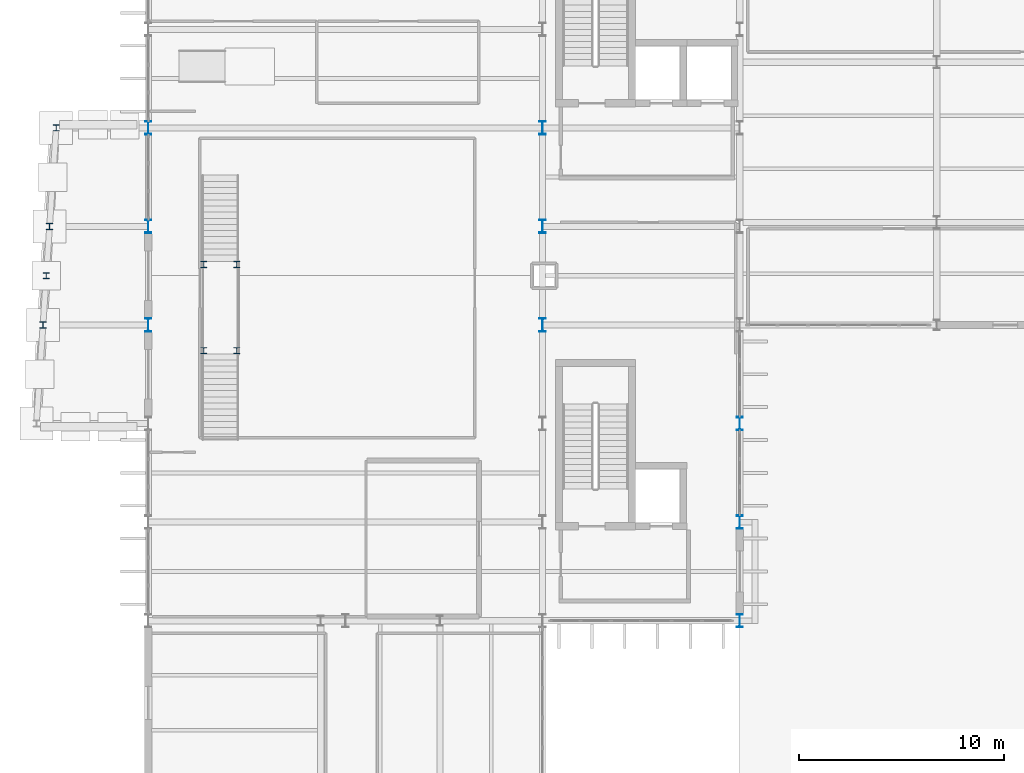
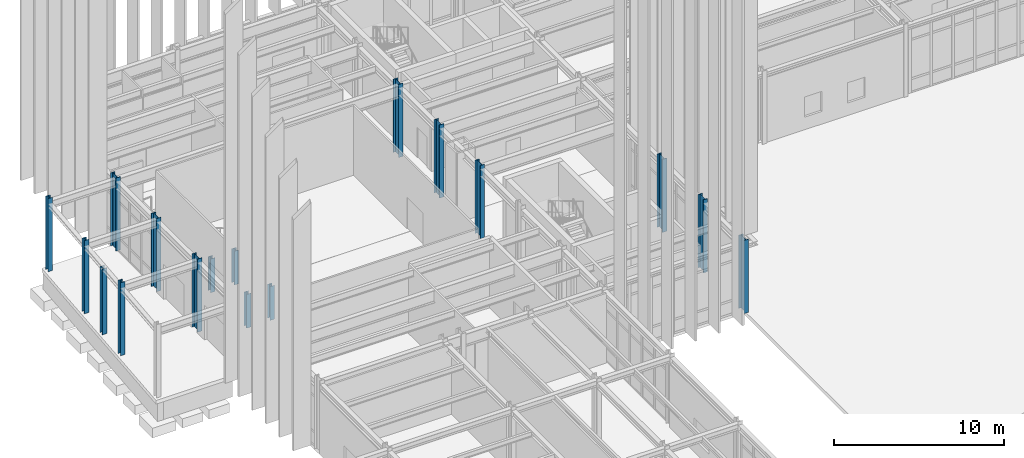
# One storey, part 13 of 109: 17 columns.
"""IFC4 building model written with IfcOpenShell, lengths in metres."""

from ifc_helpers import new_model, si_unit, direction, frame, origin, origin_2d, place, context, subcontext, project, spatial, i_section, extrude, material, material_profile, profile_set, type_object, element, save


model = new_model("IFC4")

# Units and contexts
model_context = context("Model", 3, precision=1e-05, world=origin(), true_north=direction((0.0, 1.0)))
body_context = subcontext(model_context, "Body", "Model", "MODEL_VIEW")
ifc_project = project(units=[si_unit("LENGTHUNIT", "METRE"), si_unit("AREAUNIT", "SQUARE_METRE"), si_unit("VOLUMEUNIT", "CUBIC_METRE"), si_unit("PLANEANGLEUNIT", "RADIAN"), si_unit("MASSUNIT", "GRAM", prefix="KILO")], contexts=[model_context])

# Site, building, storey
site_placement = place(None, origin())
site = spatial("IfcSite", under=ifc_project, at=site_placement, CompositionType="ELEMENT")
building_placement = place(site_placement, origin())
building = spatial("IfcBuilding", under=site, at=building_placement, Name="Nordkorset Police Headquarters", CompositionType="ELEMENT")
storey_placement = place(building_placement, origin())
storey = spatial("IfcBuildingStorey", under=building, at=storey_placement, Name="L00", CompositionType="ELEMENT", Elevation=0.0)

# Columns
ifc_material_1 = material(Name="Steel S355J2", Category="steel")
ifc_material_profile_1 = material_profile(ifc_material_1, i_section(OverallWidth=0.300048828125, OverallDepth=0.300048828125, WebThickness=0.010986328125, FlangeThickness=0.01904296875, FilletRadius=0.027099609375, at=origin_2d()), Name="HEB 300")
ifc_profile_set_1 = profile_set([ifc_material_profile_1], Name="Steel S355J2")
column_type_1 = type_object("IfcColumnType", Name="Col_HEB_300", PredefinedType="COLUMN", material=ifc_profile_set_1)
for number, where, z_axis, x_axis, name in (
    (1, (-5.1298828125, 97.60009765625, 0.0), (0.0, 0.0, 1.0), (1.0, 0.0, 0.0), "Forecourt Portico Column L00 2"),
    (2, (-4.81005859375, 102.39990234375, 0.0), (0.0, 0.0, 1.0), (1.0, 0.0, 0.0), "Forecourt Portico Column L00 3"),
    (3, (-4.489990234375, 107.199951171875, 0.0), (0.0, 0.0, 1.0), (1.0, 0.0, 0.0), "Forecourt Portico Column L00 4"),
):
    element("IfcColumn", number, at=place(storey_placement, frame(where, z_axis=z_axis, x_axis=x_axis)), inside=storey, type_object=column_type_1, Name=name, PredefinedType="COLUMN", context=body_context, shape_type="SweptSolid", body=[
        extrude(i_section(OverallWidth=0.300048828125, OverallDepth=0.300048828125, WebThickness=0.010986328125, FlangeThickness=0.01904296875, FilletRadius=0.027099609375, at=origin_2d()), origin(), (0.0, 0.0, 1.0), 5.25),
    ])
column_placement = place(storey_placement, frame((-4.969970703125, 100.0, 0.0), z_axis=(0.0, 0.0, 1.0), x_axis=(1.0, 0.0, 0.0)))
element("IfcColumn", 4, at=column_placement, inside=storey, type_object=column_type_1, Name="Canopy Ridge Column L00", PredefinedType="COLUMN", context=body_context, shape_type="SweptSolid", body=[
    extrude(i_section(OverallWidth=0.300048828125, OverallDepth=0.300048828125, WebThickness=0.010986328125, FlangeThickness=0.01904296875, FilletRadius=0.027099609375, at=origin_2d()), origin(), (0.0, 0.0, 1.0), 4.72998046875),
])
for number, where, z_axis, x_axis, name in (
    (5, (2.699951171875, 96.35009765625, 0.0), (0.0, 0.0, 1.0), (1.0, 0.0, 0.0), "Atrium Stair Post L00 1"),
    (6, (4.300048828125, 96.35009765625, 0.0), (0.0, 0.0, 1.0), (1.0, 0.0, 0.0), "Atrium Stair Post L00 2"),
    (7, (2.699951171875, 100.550048828125, 0.0), (0.0, 0.0, 1.0), (1.0, 0.0, 0.0), "Atrium Stair Post L00 3"),
    (8, (4.300048828125, 100.550048828125, 0.0), (0.0, 0.0, 1.0), (1.0, 0.0, 0.0), "Atrium Stair Post L00 4"),
):
    element("IfcColumn", number, at=place(storey_placement, frame(where, z_axis=z_axis, x_axis=x_axis)), inside=storey, type_object=column_type_1, Name=name, PredefinedType="COLUMN", context=body_context, shape_type="SweptSolid", body=[
        extrude(i_section(OverallWidth=0.300048828125, OverallDepth=0.300048828125, WebThickness=0.010986328125, FlangeThickness=0.01904296875, FilletRadius=0.027099609375, at=origin_2d()), origin(), (0.0, 0.0, 1.0), 2.425048828125),
    ])
ifc_material_2 = material(Name="Steel S355J2", Category="steel")
ifc_material_profile_2 = material_profile(ifc_material_2, i_section(OverallWidth=0.300048828125, OverallDepth=0.64990234375, WebThickness=0.01611328125, FlangeThickness=0.031005859375, FilletRadius=0.027099609375, at=origin_2d()), Name="HEB 650")
ifc_profile_set_2 = profile_set([ifc_material_profile_2], Name="Steel S355J2")
column_type_2 = type_object("IfcColumnType", Name="Col_HEB_650", PredefinedType="COLUMN", material=ifc_profile_set_2)
for number, where, z_axis, x_axis, name in (
    (9, (28.800048828125, 83.199951171875, 0.0), (0.0, 0.0, 1.0), (1.0, 0.0, 0.0), "Structural Column V1_E_0 L00"),
    (10, (28.800048828125, 88.0, 0.0), (0.0, 0.0, 1.0), (1.0, 0.0, 0.0), "Structural Column V1_E_1 L00"),
    (11, (28.800048828125, 92.800048828125, 0.0), (0.0, 0.0, 1.0), (1.0, 0.0, 0.0), "Structural Column V1_E_2 L00"),
    (12, (0.0, 97.60009765625, 0.0), (0.0, 0.0, 1.0), (1.0, 0.0, 0.0), "Structural Column V1_W_3 L00"),
    (13, (0.0, 102.39990234375, 0.0), (0.0, 0.0, 1.0), (1.0, 0.0, 0.0), "Structural Column V1_W_4 L00"),
    (14, (0.0, 107.199951171875, 0.0), (0.0, 0.0, 1.0), (1.0, 0.0, 0.0), "Structural Column V1_W_5 L00"),
    (15, (19.199951171875, 97.60009765625, 0.0), (0.0, 0.0, 1.0), (1.0, 0.0, 0.0), "Structural Column V1_CW_2 L00"),
    (16, (19.199951171875, 102.39990234375, 0.0), (0.0, 0.0, 1.0), (1.0, 0.0, 0.0), "Structural Column V1_CW_3 L00"),
    (17, (19.199951171875, 107.199951171875, 0.0), (0.0, 0.0, 1.0), (1.0, 0.0, 0.0), "Structural Column V1_CW_4 L00"),
):
    element("IfcColumn", number, at=place(storey_placement, frame(where, z_axis=z_axis, x_axis=x_axis)), inside=storey, type_object=column_type_2, Name=name, PredefinedType="COLUMN", context=body_context, shape_type="SweptSolid", body=[
        extrude(i_section(OverallWidth=0.300048828125, OverallDepth=0.64990234375, WebThickness=0.01611328125, FlangeThickness=0.031005859375, FilletRadius=0.027099609375, at=origin_2d()), origin(), (0.0, 0.0, 1.0), 5.25),
    ])

save(model, "model.ifc")
